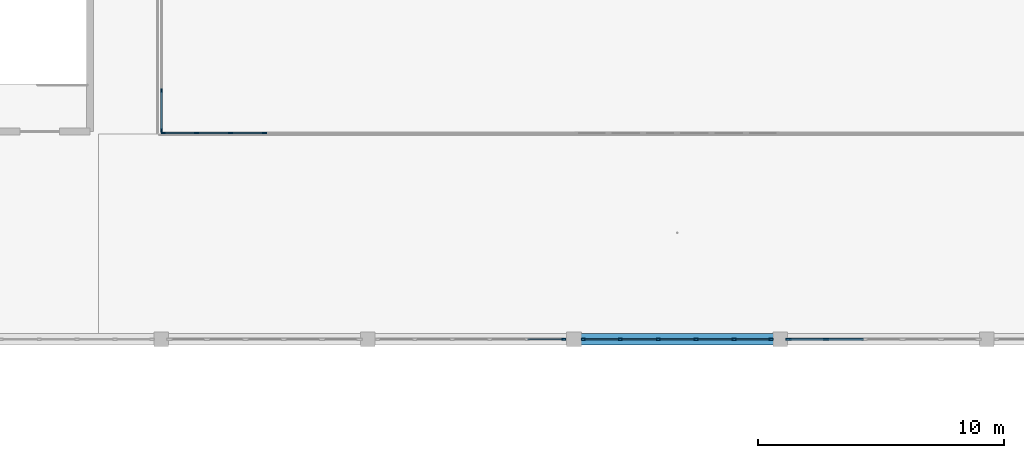
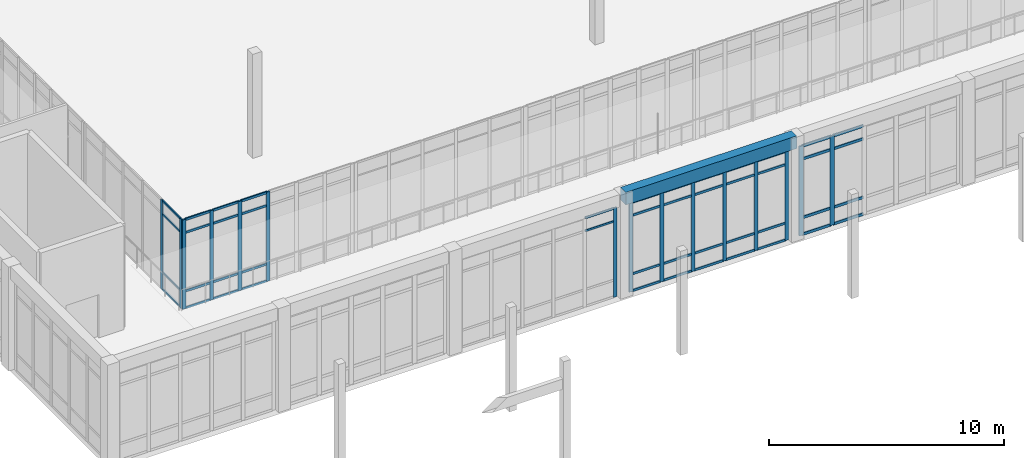
# One storey, part 16 of 157: 61 members, 1 beam, 5 elements without a shape of their own.
"""IFC4 building model written with IfcOpenShell, lengths in metres."""

from ifc_helpers import new_model, si_unit, direction, frame, origin, origin_2d, place, context, subcontext, project, spatial, rectangle, extrude, material, material_profile, profile_set, type_object, element, aggregate, save


model = new_model("IFC4")

# Units and contexts
model_context = context("Model", 3, precision=1e-05, world=origin(), true_north=direction((0.0, 1.0)))
body_context = subcontext(model_context, "Body", "Model", "MODEL_VIEW")
ifc_project = project(units=[si_unit("LENGTHUNIT", "METRE"), si_unit("AREAUNIT", "SQUARE_METRE"), si_unit("VOLUMEUNIT", "CUBIC_METRE"), si_unit("PLANEANGLEUNIT", "RADIAN"), si_unit("MASSUNIT", "GRAM", prefix="KILO")], contexts=[model_context])

# Site, building, storey
site_placement = place(None, origin())
site = spatial("IfcSite", under=ifc_project, at=site_placement, CompositionType="ELEMENT")
building_placement = place(site_placement, origin())
building = spatial("IfcBuilding", under=site, at=building_placement, Name="Varncliffe General Hospital", CompositionType="ELEMENT")
storey_placement = place(building_placement, frame((0.0, 0.0, 5.39990234375)))
storey = spatial("IfcBuildingStorey", under=building, at=storey_placement, Name="L01", CompositionType="ELEMENT", Elevation=5.39990234375)

# Curtain wall, members
ifc_material_1 = material(Name="Triple low-E argon insulated vision glazing", Category="glass")
curtain_wall_type_1 = type_object("IfcCurtainWallType", Name="Unitised Glazed Curtain Wall CW70 (7724x4640)", PredefinedType="USERDEFINED", material=ifc_material_1)
curtain_wall_1_placement = place(storey_placement, origin())
curtain_wall_1 = element("IfcCurtainWall", 1, at=curtain_wall_1_placement, inside=storey, type_object=curtain_wall_type_1, Name="L01 Glazed Curtain Wall CW70-49", ObjectType="GLAZED CURTAIN WALL", PredefinedType="USERDEFINED")
ifc_material_2 = material(Name="Dark bronze thermally broken aluminium framing", Category="aluminium")
ifc_material_profile_1 = material_profile(ifc_material_2, rectangle(XDim=0.074951171875, YDim=0.179931640625, at=origin_2d()), Name="ALU 75x180")
ifc_profile_set_1 = profile_set([ifc_material_profile_1], Name="Dark bronze thermally broken aluminium framing")
member_type_1 = type_object("IfcMemberType", Name="Curtain Wall Mullion CM44 (ALU 75x180)", PredefinedType="MULLION", material=ifc_profile_set_1)
member_1_placement = place(storey_placement, frame((92.0244140625, 7.199951171875, 0.0), z_axis=(0.0, 0.0, 1.0), x_axis=(0.0, -1.0, 0.0)))
member_1 = element("IfcMember", 2, at=member_1_placement, type_object=member_type_1, Name="CW70 mullion 1", PredefinedType="MULLION", context=body_context, shape_type="SweptSolid", body=[
    extrude(rectangle(XDim=0.074951171875, YDim=0.179931640625, at=origin_2d()), origin(), (0.0, 0.0, 1.0), 4.64013671875),
])
member_2_placement = place(storey_placement, frame((90.51708984375, 7.199951171875, 0.0), z_axis=(0.0, 0.0, 1.0), x_axis=(0.0, -1.0, 0.0)))
member_2 = element("IfcMember", 3, at=member_2_placement, type_object=member_type_1, Name="CW70 mullion 2", PredefinedType="MULLION", context=body_context, shape_type="SweptSolid", body=[
    extrude(rectangle(XDim=0.074951171875, YDim=0.179931640625, at=origin_2d()), origin(), (0.0, 0.0, 1.0), 4.64013671875),
])
member_3_placement = place(storey_placement, frame((88.972412109375, 7.199951171875, 0.0), z_axis=(0.0, 0.0, 1.0), x_axis=(0.0, -1.0, 0.0)))
member_3 = element("IfcMember", 4, at=member_3_placement, type_object=member_type_1, Name="CW70 mullion 3", PredefinedType="MULLION", context=body_context, shape_type="SweptSolid", body=[
    extrude(rectangle(XDim=0.074951171875, YDim=0.179931640625, at=origin_2d()), origin(), (0.0, 0.0, 1.0), 4.64013671875),
])
member_4_placement = place(storey_placement, frame((87.427490234375, 7.199951171875, 0.0), z_axis=(0.0, 0.0, 1.0), x_axis=(0.0, -1.0, 0.0)))
member_4 = element("IfcMember", 5, at=member_4_placement, type_object=member_type_1, Name="CW70 mullion 4", PredefinedType="MULLION", context=body_context, shape_type="SweptSolid", body=[
    extrude(rectangle(XDim=0.074951171875, YDim=0.179931640625, at=origin_2d()), origin(), (0.0, 0.0, 1.0), 4.64013671875),
])
member_5_placement = place(storey_placement, frame((85.8828125, 7.199951171875, 0.0), z_axis=(0.0, 0.0, 1.0), x_axis=(0.0, -1.0, 0.0)))
member_5 = element("IfcMember", 6, at=member_5_placement, type_object=member_type_1, Name="CW70 mullion 5", PredefinedType="MULLION", context=body_context, shape_type="SweptSolid", body=[
    extrude(rectangle(XDim=0.074951171875, YDim=0.179931640625, at=origin_2d()), origin(), (0.0, 0.0, 1.0), 4.64013671875),
])
member_6_placement = place(storey_placement, frame((84.37548828125, 7.199951171875, 0.0), z_axis=(0.0, 0.0, 1.0), x_axis=(0.0, -1.0, 0.0)))
member_6 = element("IfcMember", 7, at=member_6_placement, type_object=member_type_1, Name="CW70 mullion 6", PredefinedType="MULLION", context=body_context, shape_type="SweptSolid", body=[
    extrude(rectangle(XDim=0.074951171875, YDim=0.179931640625, at=origin_2d()), origin(), (0.0, 0.0, 1.0), 4.64013671875),
])

curtain_wall_type_2 = type_object("IfcCurtainWallType", Name="Unitised Glazed Curtain Wall CW74 (8320x4640)", PredefinedType="USERDEFINED", material=ifc_material_1)
curtain_wall_2_placement = place(storey_placement, origin())
curtain_wall_2 = element("IfcCurtainWall", 8, at=curtain_wall_2_placement, inside=storey, type_object=curtain_wall_type_2, Name="L01 Glazed Curtain Wall CW74-91", ObjectType="GLAZED CURTAIN WALL", PredefinedType="USERDEFINED")
member_7_placement = place(storey_placement, frame((67.277587890625, 15.60009765625, 0.0), z_axis=(0.0, 0.0, 1.0), x_axis=(0.0, 1.0, 0.0)))
member_7 = element("IfcMember", 9, at=member_7_placement, type_object=member_type_1, Name="CW74 mullion 1", PredefinedType="MULLION", context=body_context, shape_type="SweptSolid", body=[
    extrude(rectangle(XDim=0.074951171875, YDim=0.179931640625, at=origin_2d()), origin(), (0.0, 0.0, 1.0), 4.64013671875),
])
member_8_placement = place(storey_placement, frame((68.626708984375, 15.60009765625, 0.0), z_axis=(0.0, 0.0, 1.0), x_axis=(0.0, 1.0, 0.0)))
member_8 = element("IfcMember", 10, at=member_8_placement, type_object=member_type_1, Name="CW74 mullion 2", PredefinedType="MULLION", context=body_context, shape_type="SweptSolid", body=[
    extrude(rectangle(XDim=0.074951171875, YDim=0.179931640625, at=origin_2d()), origin(), (0.0, 0.0, 1.0), 4.64013671875),
])
member_9_placement = place(storey_placement, frame((70.013427734375, 15.60009765625, 0.0), z_axis=(0.0, 0.0, 1.0), x_axis=(0.0, 1.0, 0.0)))
member_9 = element("IfcMember", 11, at=member_9_placement, type_object=member_type_1, Name="CW74 mullion 3", PredefinedType="MULLION", context=body_context, shape_type="SweptSolid", body=[
    extrude(rectangle(XDim=0.074951171875, YDim=0.179931640625, at=origin_2d()), origin(), (0.0, 0.0, 1.0), 4.64013671875),
])
member_10_placement = place(storey_placement, frame((71.39990234375, 15.60009765625, 0.0), z_axis=(0.0, 0.0, 1.0), x_axis=(0.0, 1.0, 0.0)))
member_10 = element("IfcMember", 12, at=member_10_placement, type_object=member_type_1, Name="CW74 mullion 4", PredefinedType="MULLION", context=body_context, shape_type="SweptSolid", body=[
    extrude(rectangle(XDim=0.074951171875, YDim=0.179931640625, at=origin_2d()), origin(), (0.0, 0.0, 1.0), 4.64013671875),
])

# Curtain wall, member
curtain_wall_type_3 = type_object("IfcCurtainWallType", Name="Unitised Glazed Curtain Wall CW27 (7644x4640)", PredefinedType="USERDEFINED", material=ifc_material_1)
curtain_wall_3_placement = place(storey_placement, origin())
curtain_wall_3 = element("IfcCurtainWall", 13, at=curtain_wall_3_placement, inside=storey, type_object=curtain_wall_type_3, Name="L01 Glazed Curtain Wall CW27-50", ObjectType="GLAZED CURTAIN WALL", PredefinedType="USERDEFINED")
ifc_material_profile_2 = material_profile(ifc_material_2, rectangle(XDim=0.06494140625, YDim=0.159912109375, at=origin_2d()), Name="ALU 65x160")
ifc_profile_set_2 = profile_set([ifc_material_profile_2], Name="Dark bronze thermally broken aluminium framing")
member_type_2 = type_object("IfcMemberType", Name="Curtain Wall Mullion CM65 (ALU 65x160)", PredefinedType="MULLION", material=ifc_profile_set_2)
member_11_placement = place(storey_placement, frame((83.589599609375, 7.199951171875, 0.0), z_axis=(0.0, 0.0, 1.0), x_axis=(0.0, -1.0, 0.0)))
member_11 = element("IfcMember", 14, at=member_11_placement, type_object=member_type_2, Name="CW27 mullion 1", PredefinedType="MULLION", context=body_context, shape_type="SweptSolid", body=[
    extrude(rectangle(XDim=0.06494140625, YDim=0.159912109375, at=origin_2d()), origin(), (0.0, 0.0, 1.0), 4.64013671875),
])

# Curtain wall, members
curtain_wall_type_4 = type_object("IfcCurtainWallType", Name="Unitised Glazed Curtain Wall CW16 (8180x4640)", PredefinedType="USERDEFINED", material=ifc_material_1)
curtain_wall_4_placement = place(storey_placement, origin())
curtain_wall_4 = element("IfcCurtainWall", 15, at=curtain_wall_4_placement, inside=storey, type_object=curtain_wall_type_4, Name="L01 Glazed Curtain Wall CW16-110", ObjectType="GLAZED CURTAIN WALL", PredefinedType="USERDEFINED")
member_12_placement = place(storey_placement, frame((67.199951171875, 17.316162109375, 0.0), z_axis=(0.0, 0.0, 1.0), x_axis=(1.0, 0.0, 0.0)))
member_12 = element("IfcMember", 16, at=member_12_placement, type_object=member_type_2, Name="CW16 mullion 5", PredefinedType="MULLION", context=body_context, shape_type="SweptSolid", body=[
    extrude(rectangle(XDim=0.06494140625, YDim=0.159912109375, at=origin_2d()), origin(), (0.0, 0.0, 1.0), 4.64013671875),
])
member_13_placement = place(storey_placement, frame((67.199951171875, 15.71240234375, 0.0), z_axis=(0.0, 0.0, 1.0), x_axis=(1.0, 0.0, 0.0)))
member_13 = element("IfcMember", 17, at=member_13_placement, type_object=member_type_2, Name="CW16 mullion 6", PredefinedType="MULLION", context=body_context, shape_type="SweptSolid", body=[
    extrude(rectangle(XDim=0.06494140625, YDim=0.159912109375, at=origin_2d()), origin(), (0.0, 0.0, 1.0), 4.64013671875),
])

curtain_wall_type_5 = type_object("IfcCurtainWallType", Name="Unitised Glazed Curtain Wall CW85 (7804x4640)", PredefinedType="USERDEFINED", material=ifc_material_1)
curtain_wall_5_placement = place(storey_placement, origin())
curtain_wall_5 = element("IfcCurtainWall", 18, at=curtain_wall_5_placement, inside=storey, type_object=curtain_wall_type_5, Name="L01 Glazed Curtain Wall CW85-48", ObjectType="GLAZED CURTAIN WALL", PredefinedType="USERDEFINED")
ifc_material_profile_3 = material_profile(ifc_material_2, rectangle(XDim=0.074951171875, YDim=0.219970703125, at=origin_2d()), Name="ALU 75x220")
ifc_profile_set_3 = profile_set([ifc_material_profile_3], Name="Dark bronze thermally broken aluminium framing")
member_type_3 = type_object("IfcMemberType", Name="Curtain Wall Mullion CM74 (ALU 75x220)", PredefinedType="MULLION", material=ifc_profile_set_3)
member_14_placement = place(storey_placement, frame((94.2587890625, 7.199951171875, 0.0), z_axis=(0.0, 0.0, 1.0), x_axis=(0.0, -1.0, 0.0)))
member_14 = element("IfcMember", 19, at=member_14_placement, type_object=member_type_3, Name="CW85 mullion 5", PredefinedType="MULLION", context=body_context, shape_type="SweptSolid", body=[
    extrude(rectangle(XDim=0.074951171875, YDim=0.219970703125, at=origin_2d()), origin(), (0.0, 0.0, 1.0), 4.64013671875),
])
member_15_placement = place(storey_placement, frame((92.735595703125, 7.199951171875, 0.0), z_axis=(0.0, 0.0, 1.0), x_axis=(0.0, -1.0, 0.0)))
member_15 = element("IfcMember", 20, at=member_15_placement, type_object=member_type_3, Name="CW85 mullion 6", PredefinedType="MULLION", context=body_context, shape_type="SweptSolid", body=[
    extrude(rectangle(XDim=0.074951171875, YDim=0.219970703125, at=origin_2d()), origin(), (0.0, 0.0, 1.0), 4.64013671875),
])

# Member
ifc_material_profile_4 = material_profile(ifc_material_2, rectangle(XDim=0.06005859375, YDim=0.1201171875, at=origin_2d()), Name="ALU 60x120")
ifc_profile_set_4 = profile_set([ifc_material_profile_4], Name="Dark bronze thermally broken aluminium framing")
member_type_4 = type_object("IfcMemberType", Name="Curtain Wall Transom CT14 (ALU 60x120)", PredefinedType="USERDEFINED", material=ifc_profile_set_4)
member_16_placement = place(storey_placement, frame((91.987060546875, 7.199951171875, 0.030029296875), z_axis=(-1.0, 0.0, 0.0), x_axis=(0.0, -1.0, 0.0)))
member_16 = element("IfcMember", 21, at=member_16_placement, type_object=member_type_4, Name="CW70 transom 1.1", ObjectType="TRANSOM", PredefinedType="USERDEFINED", context=body_context, shape_type="SweptSolid", body=[
    extrude(rectangle(XDim=0.06005859375, YDim=0.1201171875, at=origin_2d()), origin(), (0.0, 0.0, 1.0), 1.432373046875),
])

member_17_placement = place(storey_placement, frame((91.987060546875, 7.199951171875, 0.900146484375), z_axis=(-1.0, 0.0, 0.0), x_axis=(0.0, -1.0, 0.0)))
member_17 = element("IfcMember", 22, at=member_17_placement, type_object=member_type_4, Name="CW70 transom 1.2", ObjectType="TRANSOM", PredefinedType="USERDEFINED", context=body_context, shape_type="SweptSolid", body=[
    extrude(rectangle(XDim=0.06005859375, YDim=0.1201171875, at=origin_2d()), origin(), (0.0, 0.0, 1.0), 1.432373046875),
])

member_18_placement = place(storey_placement, frame((91.987060546875, 7.199951171875, 3.940185546875), z_axis=(-1.0, 0.0, 0.0), x_axis=(0.0, -1.0, 0.0)))
member_18 = element("IfcMember", 23, at=member_18_placement, type_object=member_type_4, Name="CW70 transom 1.3", ObjectType="TRANSOM", PredefinedType="USERDEFINED", context=body_context, shape_type="SweptSolid", body=[
    extrude(rectangle(XDim=0.06005859375, YDim=0.1201171875, at=origin_2d()), origin(), (0.0, 0.0, 1.0), 1.432373046875),
])

member_19_placement = place(storey_placement, frame((91.987060546875, 7.199951171875, 4.610107421875), z_axis=(-1.0, 0.0, 0.0), x_axis=(0.0, -1.0, 0.0)))
member_19 = element("IfcMember", 24, at=member_19_placement, type_object=member_type_4, Name="CW70 transom 1.4", ObjectType="TRANSOM", PredefinedType="USERDEFINED", context=body_context, shape_type="SweptSolid", body=[
    extrude(rectangle(XDim=0.06005859375, YDim=0.1201171875, at=origin_2d()), origin(), (0.0, 0.0, 1.0), 1.432373046875),
])

member_20_placement = place(storey_placement, frame((90.479736328125, 7.199951171875, 0.030029296875), z_axis=(-1.0, 0.0, 0.0), x_axis=(0.0, -1.0, 0.0)))
member_20 = element("IfcMember", 25, at=member_20_placement, type_object=member_type_4, Name="CW70 transom 2.1", ObjectType="TRANSOM", PredefinedType="USERDEFINED", context=body_context, shape_type="SweptSolid", body=[
    extrude(rectangle(XDim=0.06005859375, YDim=0.1201171875, at=origin_2d()), origin(), (0.0, 0.0, 1.0), 1.4697265625),
])

member_21_placement = place(storey_placement, frame((90.479736328125, 7.199951171875, 0.900146484375), z_axis=(-1.0, 0.0, 0.0), x_axis=(0.0, -1.0, 0.0)))
member_21 = element("IfcMember", 26, at=member_21_placement, type_object=member_type_4, Name="CW70 transom 2.2", ObjectType="TRANSOM", PredefinedType="USERDEFINED", context=body_context, shape_type="SweptSolid", body=[
    extrude(rectangle(XDim=0.06005859375, YDim=0.1201171875, at=origin_2d()), origin(), (0.0, 0.0, 1.0), 1.4697265625),
])

member_22_placement = place(storey_placement, frame((90.479736328125, 7.199951171875, 3.940185546875), z_axis=(-1.0, 0.0, 0.0), x_axis=(0.0, -1.0, 0.0)))
member_22 = element("IfcMember", 27, at=member_22_placement, type_object=member_type_4, Name="CW70 transom 2.3", ObjectType="TRANSOM", PredefinedType="USERDEFINED", context=body_context, shape_type="SweptSolid", body=[
    extrude(rectangle(XDim=0.06005859375, YDim=0.1201171875, at=origin_2d()), origin(), (0.0, 0.0, 1.0), 1.4697265625),
])

member_23_placement = place(storey_placement, frame((90.479736328125, 7.199951171875, 4.610107421875), z_axis=(-1.0, 0.0, 0.0), x_axis=(0.0, -1.0, 0.0)))
member_23 = element("IfcMember", 28, at=member_23_placement, type_object=member_type_4, Name="CW70 transom 2.4", ObjectType="TRANSOM", PredefinedType="USERDEFINED", context=body_context, shape_type="SweptSolid", body=[
    extrude(rectangle(XDim=0.06005859375, YDim=0.1201171875, at=origin_2d()), origin(), (0.0, 0.0, 1.0), 1.4697265625),
])

member_24_placement = place(storey_placement, frame((88.934814453125, 7.199951171875, 0.030029296875), z_axis=(-1.0, 0.0, 0.0), x_axis=(0.0, -1.0, 0.0)))
member_24 = element("IfcMember", 29, at=member_24_placement, type_object=member_type_4, Name="CW70 transom 3.1", ObjectType="TRANSOM", PredefinedType="USERDEFINED", context=body_context, shape_type="SweptSolid", body=[
    extrude(rectangle(XDim=0.06005859375, YDim=0.1201171875, at=origin_2d()), origin(), (0.0, 0.0, 1.0), 1.4697265625),
])

member_25_placement = place(storey_placement, frame((88.934814453125, 7.199951171875, 0.900146484375), z_axis=(-1.0, 0.0, 0.0), x_axis=(0.0, -1.0, 0.0)))
member_25 = element("IfcMember", 30, at=member_25_placement, type_object=member_type_4, Name="CW70 transom 3.2", ObjectType="TRANSOM", PredefinedType="USERDEFINED", context=body_context, shape_type="SweptSolid", body=[
    extrude(rectangle(XDim=0.06005859375, YDim=0.1201171875, at=origin_2d()), origin(), (0.0, 0.0, 1.0), 1.4697265625),
])

member_26_placement = place(storey_placement, frame((88.934814453125, 7.199951171875, 3.940185546875), z_axis=(-1.0, 0.0, 0.0), x_axis=(0.0, -1.0, 0.0)))
member_26 = element("IfcMember", 31, at=member_26_placement, type_object=member_type_4, Name="CW70 transom 3.3", ObjectType="TRANSOM", PredefinedType="USERDEFINED", context=body_context, shape_type="SweptSolid", body=[
    extrude(rectangle(XDim=0.06005859375, YDim=0.1201171875, at=origin_2d()), origin(), (0.0, 0.0, 1.0), 1.4697265625),
])

member_27_placement = place(storey_placement, frame((88.934814453125, 7.199951171875, 4.610107421875), z_axis=(-1.0, 0.0, 0.0), x_axis=(0.0, -1.0, 0.0)))
member_27 = element("IfcMember", 32, at=member_27_placement, type_object=member_type_4, Name="CW70 transom 3.4", ObjectType="TRANSOM", PredefinedType="USERDEFINED", context=body_context, shape_type="SweptSolid", body=[
    extrude(rectangle(XDim=0.06005859375, YDim=0.1201171875, at=origin_2d()), origin(), (0.0, 0.0, 1.0), 1.4697265625),
])

member_28_placement = place(storey_placement, frame((87.39013671875, 7.199951171875, 0.030029296875), z_axis=(-1.0, 0.0, 0.0), x_axis=(0.0, -1.0, 0.0)))
member_28 = element("IfcMember", 33, at=member_28_placement, type_object=member_type_4, Name="CW70 transom 4.1", ObjectType="TRANSOM", PredefinedType="USERDEFINED", context=body_context, shape_type="SweptSolid", body=[
    extrude(rectangle(XDim=0.06005859375, YDim=0.1201171875, at=origin_2d()), origin(), (0.0, 0.0, 1.0), 1.4697265625),
])

member_29_placement = place(storey_placement, frame((87.39013671875, 7.199951171875, 0.900146484375), z_axis=(-1.0, 0.0, 0.0), x_axis=(0.0, -1.0, 0.0)))
member_29 = element("IfcMember", 34, at=member_29_placement, type_object=member_type_4, Name="CW70 transom 4.2", ObjectType="TRANSOM", PredefinedType="USERDEFINED", context=body_context, shape_type="SweptSolid", body=[
    extrude(rectangle(XDim=0.06005859375, YDim=0.1201171875, at=origin_2d()), origin(), (0.0, 0.0, 1.0), 1.4697265625),
])

member_30_placement = place(storey_placement, frame((87.39013671875, 7.199951171875, 3.940185546875), z_axis=(-1.0, 0.0, 0.0), x_axis=(0.0, -1.0, 0.0)))
member_30 = element("IfcMember", 35, at=member_30_placement, type_object=member_type_4, Name="CW70 transom 4.3", ObjectType="TRANSOM", PredefinedType="USERDEFINED", context=body_context, shape_type="SweptSolid", body=[
    extrude(rectangle(XDim=0.06005859375, YDim=0.1201171875, at=origin_2d()), origin(), (0.0, 0.0, 1.0), 1.4697265625),
])

member_31_placement = place(storey_placement, frame((87.39013671875, 7.199951171875, 4.610107421875), z_axis=(-1.0, 0.0, 0.0), x_axis=(0.0, -1.0, 0.0)))
member_31 = element("IfcMember", 36, at=member_31_placement, type_object=member_type_4, Name="CW70 transom 4.4", ObjectType="TRANSOM", PredefinedType="USERDEFINED", context=body_context, shape_type="SweptSolid", body=[
    extrude(rectangle(XDim=0.06005859375, YDim=0.1201171875, at=origin_2d()), origin(), (0.0, 0.0, 1.0), 1.4697265625),
])

member_32_placement = place(storey_placement, frame((85.84521484375, 7.199951171875, 0.030029296875), z_axis=(-1.0, 0.0, 0.0), x_axis=(0.0, -1.0, 0.0)))
member_32 = element("IfcMember", 37, at=member_32_placement, type_object=member_type_4, Name="CW70 transom 5.1", ObjectType="TRANSOM", PredefinedType="USERDEFINED", context=body_context, shape_type="SweptSolid", body=[
    extrude(rectangle(XDim=0.06005859375, YDim=0.1201171875, at=origin_2d()), origin(), (0.0, 0.0, 1.0), 1.43212890625),
])

member_33_placement = place(storey_placement, frame((85.84521484375, 7.199951171875, 0.900146484375), z_axis=(-1.0, 0.0, 0.0), x_axis=(0.0, -1.0, 0.0)))
member_33 = element("IfcMember", 38, at=member_33_placement, type_object=member_type_4, Name="CW70 transom 5.2", ObjectType="TRANSOM", PredefinedType="USERDEFINED", context=body_context, shape_type="SweptSolid", body=[
    extrude(rectangle(XDim=0.06005859375, YDim=0.1201171875, at=origin_2d()), origin(), (0.0, 0.0, 1.0), 1.43212890625),
])

member_34_placement = place(storey_placement, frame((85.84521484375, 7.199951171875, 3.940185546875), z_axis=(-1.0, 0.0, 0.0), x_axis=(0.0, -1.0, 0.0)))
member_34 = element("IfcMember", 39, at=member_34_placement, type_object=member_type_4, Name="CW70 transom 5.3", ObjectType="TRANSOM", PredefinedType="USERDEFINED", context=body_context, shape_type="SweptSolid", body=[
    extrude(rectangle(XDim=0.06005859375, YDim=0.1201171875, at=origin_2d()), origin(), (0.0, 0.0, 1.0), 1.43212890625),
])

member_35_placement = place(storey_placement, frame((85.84521484375, 7.199951171875, 4.610107421875), z_axis=(-1.0, 0.0, 0.0), x_axis=(0.0, -1.0, 0.0)))
member_35 = element("IfcMember", 40, at=member_35_placement, type_object=member_type_4, Name="CW70 transom 5.4", ObjectType="TRANSOM", PredefinedType="USERDEFINED", context=body_context, shape_type="SweptSolid", body=[
    extrude(rectangle(XDim=0.06005859375, YDim=0.1201171875, at=origin_2d()), origin(), (0.0, 0.0, 1.0), 1.43212890625),
])

aggregate(curtain_wall_1, [member_1, member_2, member_3, member_4, member_5, member_6, member_16, member_17, member_18, member_19, member_20, member_21, member_22, member_23, member_24, member_25, member_26, member_27, member_28, member_29, member_30, member_31, member_32, member_33, member_34, member_35])

member_36_placement = place(storey_placement, frame((67.31494140625, 15.60009765625, 0.030029296875), z_axis=(1.0, 0.0, 0.0), x_axis=(0.0, 1.0, 0.0)))
member_36 = element("IfcMember", 41, at=member_36_placement, type_object=member_type_4, Name="CW74 transom 1.1", ObjectType="TRANSOM", PredefinedType="USERDEFINED", context=body_context, shape_type="SweptSolid", body=[
    extrude(rectangle(XDim=0.06005859375, YDim=0.1201171875, at=origin_2d()), origin(), (0.0, 0.0, 1.0), 1.274169921875),
])

member_37_placement = place(storey_placement, frame((67.31494140625, 15.60009765625, 0.900146484375), z_axis=(1.0, 0.0, 0.0), x_axis=(0.0, 1.0, 0.0)))
member_37 = element("IfcMember", 42, at=member_37_placement, type_object=member_type_4, Name="CW74 transom 1.2", ObjectType="TRANSOM", PredefinedType="USERDEFINED", context=body_context, shape_type="SweptSolid", body=[
    extrude(rectangle(XDim=0.06005859375, YDim=0.1201171875, at=origin_2d()), origin(), (0.0, 0.0, 1.0), 1.274169921875),
])

member_38_placement = place(storey_placement, frame((67.31494140625, 15.60009765625, 3.940185546875), z_axis=(1.0, 0.0, 0.0), x_axis=(0.0, 1.0, 0.0)))
member_38 = element("IfcMember", 43, at=member_38_placement, type_object=member_type_4, Name="CW74 transom 1.3", ObjectType="TRANSOM", PredefinedType="USERDEFINED", context=body_context, shape_type="SweptSolid", body=[
    extrude(rectangle(XDim=0.06005859375, YDim=0.1201171875, at=origin_2d()), origin(), (0.0, 0.0, 1.0), 1.274169921875),
])

member_39_placement = place(storey_placement, frame((67.31494140625, 15.60009765625, 4.610107421875), z_axis=(1.0, 0.0, 0.0), x_axis=(0.0, 1.0, 0.0)))
member_39 = element("IfcMember", 44, at=member_39_placement, type_object=member_type_4, Name="CW74 transom 1.4", ObjectType="TRANSOM", PredefinedType="USERDEFINED", context=body_context, shape_type="SweptSolid", body=[
    extrude(rectangle(XDim=0.06005859375, YDim=0.1201171875, at=origin_2d()), origin(), (0.0, 0.0, 1.0), 1.274169921875),
])

member_40_placement = place(storey_placement, frame((68.6640625, 15.60009765625, 0.030029296875), z_axis=(1.0, 0.0, 0.0), x_axis=(0.0, 1.0, 0.0)))
member_40 = element("IfcMember", 45, at=member_40_placement, type_object=member_type_4, Name="CW74 transom 2.1", ObjectType="TRANSOM", PredefinedType="USERDEFINED", context=body_context, shape_type="SweptSolid", body=[
    extrude(rectangle(XDim=0.06005859375, YDim=0.1201171875, at=origin_2d()), origin(), (0.0, 0.0, 1.0), 1.311767578125),
])

member_41_placement = place(storey_placement, frame((68.6640625, 15.60009765625, 0.900146484375), z_axis=(1.0, 0.0, 0.0), x_axis=(0.0, 1.0, 0.0)))
member_41 = element("IfcMember", 46, at=member_41_placement, type_object=member_type_4, Name="CW74 transom 2.2", ObjectType="TRANSOM", PredefinedType="USERDEFINED", context=body_context, shape_type="SweptSolid", body=[
    extrude(rectangle(XDim=0.06005859375, YDim=0.1201171875, at=origin_2d()), origin(), (0.0, 0.0, 1.0), 1.311767578125),
])

member_42_placement = place(storey_placement, frame((68.6640625, 15.60009765625, 3.940185546875), z_axis=(1.0, 0.0, 0.0), x_axis=(0.0, 1.0, 0.0)))
member_42 = element("IfcMember", 47, at=member_42_placement, type_object=member_type_4, Name="CW74 transom 2.3", ObjectType="TRANSOM", PredefinedType="USERDEFINED", context=body_context, shape_type="SweptSolid", body=[
    extrude(rectangle(XDim=0.06005859375, YDim=0.1201171875, at=origin_2d()), origin(), (0.0, 0.0, 1.0), 1.311767578125),
])

member_43_placement = place(storey_placement, frame((68.6640625, 15.60009765625, 4.610107421875), z_axis=(1.0, 0.0, 0.0), x_axis=(0.0, 1.0, 0.0)))
member_43 = element("IfcMember", 48, at=member_43_placement, type_object=member_type_4, Name="CW74 transom 2.4", ObjectType="TRANSOM", PredefinedType="USERDEFINED", context=body_context, shape_type="SweptSolid", body=[
    extrude(rectangle(XDim=0.06005859375, YDim=0.1201171875, at=origin_2d()), origin(), (0.0, 0.0, 1.0), 1.311767578125),
])

member_44_placement = place(storey_placement, frame((70.05078125, 15.60009765625, 0.030029296875), z_axis=(1.0, 0.0, 0.0), x_axis=(0.0, 1.0, 0.0)))
member_44 = element("IfcMember", 49, at=member_44_placement, type_object=member_type_4, Name="CW74 transom 3.1", ObjectType="TRANSOM", PredefinedType="USERDEFINED", context=body_context, shape_type="SweptSolid", body=[
    extrude(rectangle(XDim=0.06005859375, YDim=0.1201171875, at=origin_2d()), origin(), (0.0, 0.0, 1.0), 1.311767578125),
])

member_45_placement = place(storey_placement, frame((70.05078125, 15.60009765625, 0.900146484375), z_axis=(1.0, 0.0, 0.0), x_axis=(0.0, 1.0, 0.0)))
member_45 = element("IfcMember", 50, at=member_45_placement, type_object=member_type_4, Name="CW74 transom 3.2", ObjectType="TRANSOM", PredefinedType="USERDEFINED", context=body_context, shape_type="SweptSolid", body=[
    extrude(rectangle(XDim=0.06005859375, YDim=0.1201171875, at=origin_2d()), origin(), (0.0, 0.0, 1.0), 1.311767578125),
])

member_46_placement = place(storey_placement, frame((70.05078125, 15.60009765625, 3.940185546875), z_axis=(1.0, 0.0, 0.0), x_axis=(0.0, 1.0, 0.0)))
member_46 = element("IfcMember", 51, at=member_46_placement, type_object=member_type_4, Name="CW74 transom 3.3", ObjectType="TRANSOM", PredefinedType="USERDEFINED", context=body_context, shape_type="SweptSolid", body=[
    extrude(rectangle(XDim=0.06005859375, YDim=0.1201171875, at=origin_2d()), origin(), (0.0, 0.0, 1.0), 1.311767578125),
])

member_47_placement = place(storey_placement, frame((70.05078125, 15.60009765625, 4.610107421875), z_axis=(1.0, 0.0, 0.0), x_axis=(0.0, 1.0, 0.0)))
member_47 = element("IfcMember", 52, at=member_47_placement, type_object=member_type_4, Name="CW74 transom 3.4", ObjectType="TRANSOM", PredefinedType="USERDEFINED", context=body_context, shape_type="SweptSolid", body=[
    extrude(rectangle(XDim=0.06005859375, YDim=0.1201171875, at=origin_2d()), origin(), (0.0, 0.0, 1.0), 1.311767578125),
])

aggregate(curtain_wall_2, [member_7, member_8, member_9, member_10, member_36, member_37, member_38, member_39, member_40, member_41, member_42, member_43, member_44, member_45, member_46, member_47])

ifc_material_profile_5 = material_profile(ifc_material_2, rectangle(XDim=0.06005859375, YDim=0.10009765625, at=origin_2d()), Name="ALU 60x100")
ifc_profile_set_5 = profile_set([ifc_material_profile_5], Name="Dark bronze thermally broken aluminium framing")
member_type_5 = type_object("IfcMemberType", Name="Curtain Wall Transom CT18 (ALU 60x100)", PredefinedType="USERDEFINED", material=ifc_profile_set_5)
member_48_placement = place(storey_placement, frame((83.556884765625, 7.199951171875, 3.940185546875), z_axis=(-1.0, 0.0, 0.0), x_axis=(0.0, -1.0, 0.0)))
member_48 = element("IfcMember", 53, at=member_48_placement, type_object=member_type_5, Name="CW27 transom 1.3", ObjectType="TRANSOM", PredefinedType="USERDEFINED", context=body_context, shape_type="SweptSolid", body=[
    extrude(rectangle(XDim=0.06005859375, YDim=0.10009765625, at=origin_2d()), origin(), (0.0, 0.0, 1.0), 1.43115234375),
])

member_49_placement = place(storey_placement, frame((83.556884765625, 7.199951171875, 4.610107421875), z_axis=(-1.0, 0.0, 0.0), x_axis=(0.0, -1.0, 0.0)))
member_49 = element("IfcMember", 54, at=member_49_placement, type_object=member_type_5, Name="CW27 transom 1.4", ObjectType="TRANSOM", PredefinedType="USERDEFINED", context=body_context, shape_type="SweptSolid", body=[
    extrude(rectangle(XDim=0.06005859375, YDim=0.10009765625, at=origin_2d()), origin(), (0.0, 0.0, 1.0), 1.43115234375),
])

aggregate(curtain_wall_3, [member_11, member_48, member_49])

member_50_placement = place(storey_placement, frame((67.199951171875, 17.28369140625, 0.030029296875), z_axis=(0.0, -1.0, 0.0), x_axis=(1.0, 0.0, 0.0)))
member_50 = element("IfcMember", 55, at=member_50_placement, type_object=member_type_5, Name="CW16 transom 5.1", ObjectType="TRANSOM", PredefinedType="USERDEFINED", context=body_context, shape_type="SweptSolid", body=[
    extrude(rectangle(XDim=0.06005859375, YDim=0.10009765625, at=origin_2d()), origin(), (0.0, 0.0, 1.0), 1.53857421875),
])

member_51_placement = place(storey_placement, frame((67.199951171875, 17.28369140625, 0.900146484375), z_axis=(0.0, -1.0, 0.0), x_axis=(1.0, 0.0, 0.0)))
member_51 = element("IfcMember", 56, at=member_51_placement, type_object=member_type_5, Name="CW16 transom 5.2", ObjectType="TRANSOM", PredefinedType="USERDEFINED", context=body_context, shape_type="SweptSolid", body=[
    extrude(rectangle(XDim=0.06005859375, YDim=0.10009765625, at=origin_2d()), origin(), (0.0, 0.0, 1.0), 1.53857421875),
])

member_52_placement = place(storey_placement, frame((67.199951171875, 17.28369140625, 3.940185546875), z_axis=(0.0, -1.0, 0.0), x_axis=(1.0, 0.0, 0.0)))
member_52 = element("IfcMember", 57, at=member_52_placement, type_object=member_type_5, Name="CW16 transom 5.3", ObjectType="TRANSOM", PredefinedType="USERDEFINED", context=body_context, shape_type="SweptSolid", body=[
    extrude(rectangle(XDim=0.06005859375, YDim=0.10009765625, at=origin_2d()), origin(), (0.0, 0.0, 1.0), 1.53857421875),
])

member_53_placement = place(storey_placement, frame((67.199951171875, 17.28369140625, 4.610107421875), z_axis=(0.0, -1.0, 0.0), x_axis=(1.0, 0.0, 0.0)))
member_53 = element("IfcMember", 58, at=member_53_placement, type_object=member_type_5, Name="CW16 transom 5.4", ObjectType="TRANSOM", PredefinedType="USERDEFINED", context=body_context, shape_type="SweptSolid", body=[
    extrude(rectangle(XDim=0.06005859375, YDim=0.10009765625, at=origin_2d()), origin(), (0.0, 0.0, 1.0), 1.53857421875),
])

aggregate(curtain_wall_4, [member_12, member_13, member_50, member_51, member_52, member_53])

ifc_material_profile_6 = material_profile(ifc_material_2, rectangle(XDim=0.06494140625, YDim=0.139892578125, at=origin_2d()), Name="ALU 65x140")
ifc_profile_set_6 = profile_set([ifc_material_profile_6], Name="Dark bronze thermally broken aluminium framing")
member_type_6 = type_object("IfcMemberType", Name="Curtain Wall Transom CT69 (ALU 65x140)", PredefinedType="USERDEFINED", material=ifc_profile_set_6)
member_54_placement = place(storey_placement, frame((95.781982421875, 7.199951171875, 0.03271484375), z_axis=(-1.0, 0.0, 0.0), x_axis=(0.0, -1.0, 0.0)))
member_54 = element("IfcMember", 59, at=member_54_placement, type_object=member_type_6, Name="CW85 transom 4.1", ObjectType="TRANSOM", PredefinedType="USERDEFINED", context=body_context, shape_type="SweptSolid", body=[
    extrude(rectangle(XDim=0.06494140625, YDim=0.139892578125, at=origin_2d()), origin(), (0.0, 0.0, 1.0), 1.485595703125),
])

member_55_placement = place(storey_placement, frame((95.781982421875, 7.199951171875, 0.900146484375), z_axis=(-1.0, 0.0, 0.0), x_axis=(0.0, -1.0, 0.0)))
member_55 = element("IfcMember", 60, at=member_55_placement, type_object=member_type_6, Name="CW85 transom 4.2", ObjectType="TRANSOM", PredefinedType="USERDEFINED", context=body_context, shape_type="SweptSolid", body=[
    extrude(rectangle(XDim=0.06494140625, YDim=0.139892578125, at=origin_2d()), origin(), (0.0, 0.0, 1.0), 1.485595703125),
])

member_56_placement = place(storey_placement, frame((95.781982421875, 7.199951171875, 3.940185546875), z_axis=(-1.0, 0.0, 0.0), x_axis=(0.0, -1.0, 0.0)))
member_56 = element("IfcMember", 61, at=member_56_placement, type_object=member_type_6, Name="CW85 transom 4.3", ObjectType="TRANSOM", PredefinedType="USERDEFINED", context=body_context, shape_type="SweptSolid", body=[
    extrude(rectangle(XDim=0.06494140625, YDim=0.139892578125, at=origin_2d()), origin(), (0.0, 0.0, 1.0), 1.485595703125),
])

member_57_placement = place(storey_placement, frame((95.781982421875, 7.199951171875, 4.607666015625), z_axis=(-1.0, 0.0, 0.0), x_axis=(0.0, -1.0, 0.0)))
member_57 = element("IfcMember", 62, at=member_57_placement, type_object=member_type_6, Name="CW85 transom 4.4", ObjectType="TRANSOM", PredefinedType="USERDEFINED", context=body_context, shape_type="SweptSolid", body=[
    extrude(rectangle(XDim=0.06494140625, YDim=0.139892578125, at=origin_2d()), origin(), (0.0, 0.0, 1.0), 1.485595703125),
])

member_58_placement = place(storey_placement, frame((94.22119140625, 7.199951171875, 0.03271484375), z_axis=(-1.0, 0.0, 0.0), x_axis=(0.0, -1.0, 0.0)))
member_58 = element("IfcMember", 63, at=member_58_placement, type_object=member_type_6, Name="CW85 transom 5.1", ObjectType="TRANSOM", PredefinedType="USERDEFINED", context=body_context, shape_type="SweptSolid", body=[
    extrude(rectangle(XDim=0.06494140625, YDim=0.139892578125, at=origin_2d()), origin(), (0.0, 0.0, 1.0), 1.4482421875),
])

member_59_placement = place(storey_placement, frame((94.22119140625, 7.199951171875, 0.900146484375), z_axis=(-1.0, 0.0, 0.0), x_axis=(0.0, -1.0, 0.0)))
member_59 = element("IfcMember", 64, at=member_59_placement, type_object=member_type_6, Name="CW85 transom 5.2", ObjectType="TRANSOM", PredefinedType="USERDEFINED", context=body_context, shape_type="SweptSolid", body=[
    extrude(rectangle(XDim=0.06494140625, YDim=0.139892578125, at=origin_2d()), origin(), (0.0, 0.0, 1.0), 1.4482421875),
])

member_60_placement = place(storey_placement, frame((94.22119140625, 7.199951171875, 3.940185546875), z_axis=(-1.0, 0.0, 0.0), x_axis=(0.0, -1.0, 0.0)))
member_60 = element("IfcMember", 65, at=member_60_placement, type_object=member_type_6, Name="CW85 transom 5.3", ObjectType="TRANSOM", PredefinedType="USERDEFINED", context=body_context, shape_type="SweptSolid", body=[
    extrude(rectangle(XDim=0.06494140625, YDim=0.139892578125, at=origin_2d()), origin(), (0.0, 0.0, 1.0), 1.4482421875),
])

member_61_placement = place(storey_placement, frame((94.22119140625, 7.199951171875, 4.607666015625), z_axis=(-1.0, 0.0, 0.0), x_axis=(0.0, -1.0, 0.0)))
member_61 = element("IfcMember", 66, at=member_61_placement, type_object=member_type_6, Name="CW85 transom 5.4", ObjectType="TRANSOM", PredefinedType="USERDEFINED", context=body_context, shape_type="SweptSolid", body=[
    extrude(rectangle(XDim=0.06494140625, YDim=0.139892578125, at=origin_2d()), origin(), (0.0, 0.0, 1.0), 1.4482421875),
])

aggregate(curtain_wall_5, [member_14, member_15, member_54, member_55, member_56, member_57, member_58, member_59, member_60, member_61])

# Beam
ifc_material_3 = material(Name="Concrete C35/45 (CSA A23.1 35 MPa)", Category="concrete")
ifc_material_profile_7 = material_profile(ifc_material_3, rectangle(XDim=0.449951171875, YDim=0.64990234375, at=origin_2d()), Name="RC 450x650")
ifc_profile_set_7 = profile_set([ifc_material_profile_7], Name="Concrete C35/45 (CSA A23.1 35 MPa)")
beam_type = type_object("IfcBeamType", Name="Spandrel SP38 (Ext RC 450x650B)", PredefinedType="SPANDREL", material=ifc_profile_set_7)
beam_placement = place(storey_placement, frame((84.0, 7.199951171875, 5.0751953125), z_axis=(1.0, 0.0, 0.0), x_axis=(0.0, 1.0, 0.0)))
element("IfcBeam", 67, at=beam_placement, inside=storey, type_object=beam_type, Name="L01 Spandrel Beam SP38-13", PredefinedType="SPANDREL", context=body_context, shape_type="SweptSolid", body=[
    extrude(rectangle(XDim=0.449951171875, YDim=0.64990234375, at=origin_2d()), origin(), (0.0, 0.0, 1.0), 8.39990234375),
])

save(model, "model.ifc")
